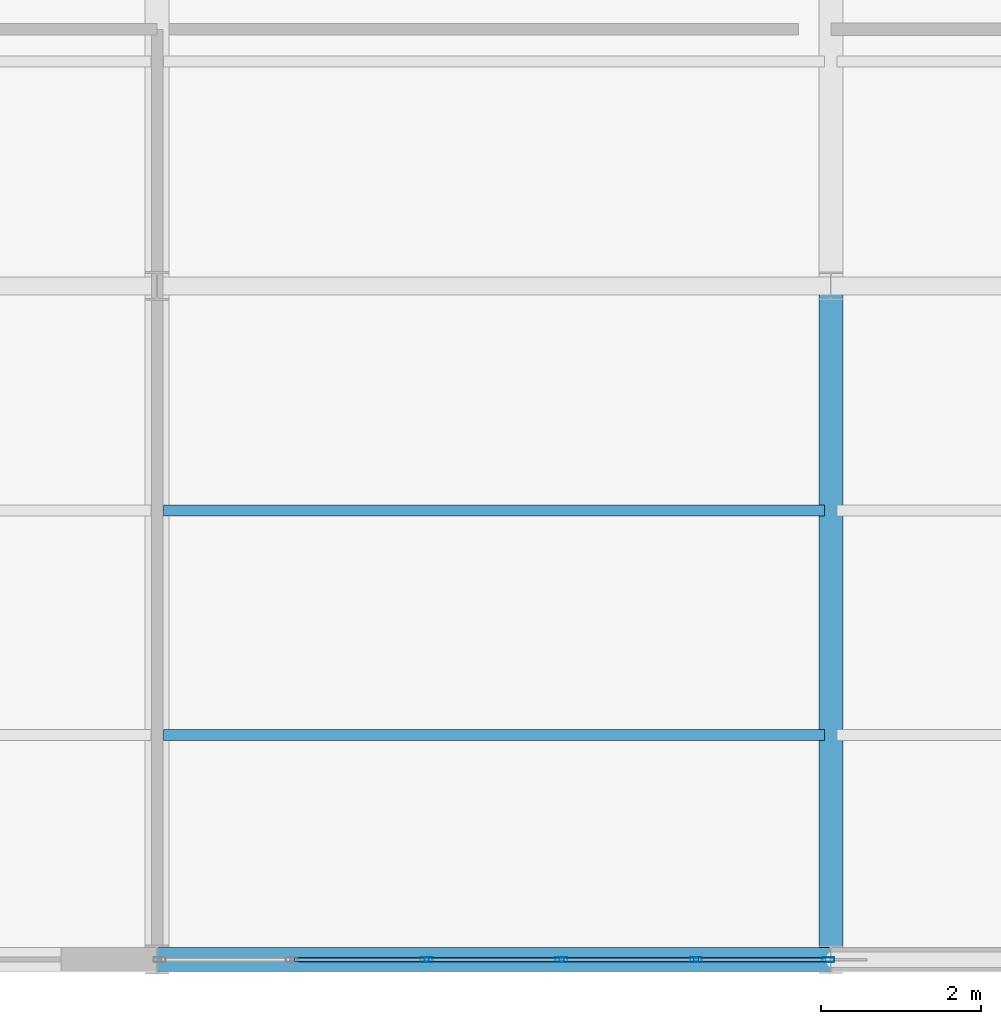
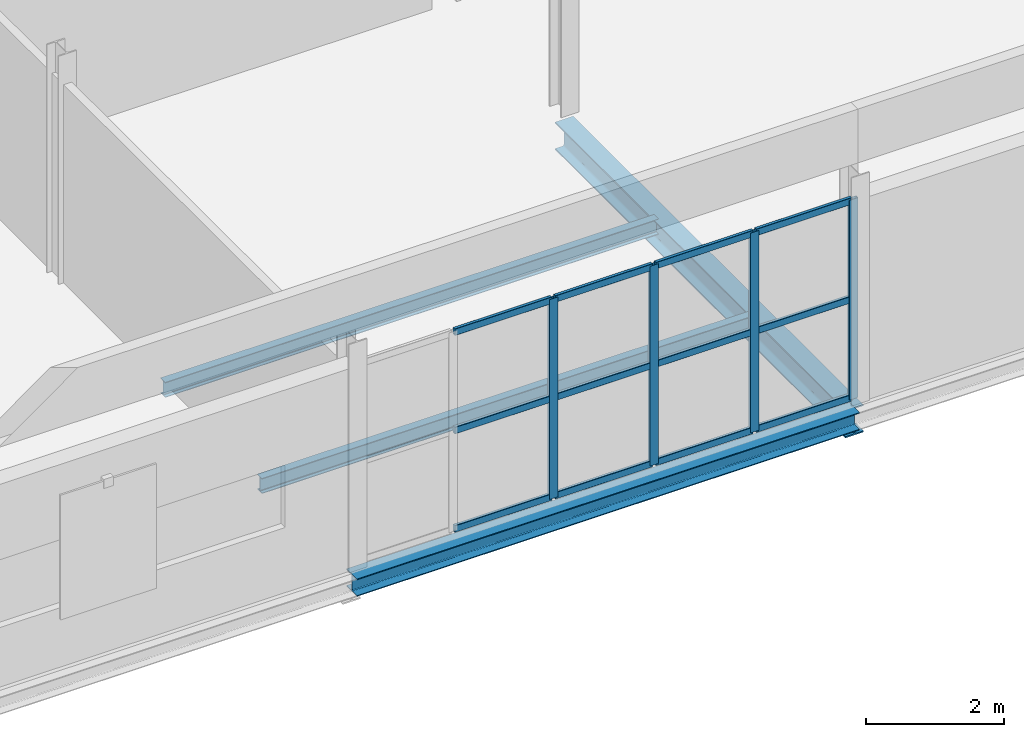
# One storey, part 119 of 184: 16 members, 4 beams, 1 element without a shape of its own.
"""IFC4 building model written with IfcOpenShell, lengths in metres."""

from ifc_helpers import new_model, si_unit, direction, frame, origin, origin_2d, place, context, subcontext, project, spatial, hollow_rectangle, i_section, extrude, material, layer, layer_set, material_profile, profile_set, type_object, element, aggregate, save


model = new_model("IFC4")

# Units and contexts
model_context = context("Model", 3, precision=1e-05, world=origin(), true_north=direction((0.0, 1.0)))
body_context = subcontext(model_context, "Body", "Model", "MODEL_VIEW")
ifc_project = project(units=[si_unit("LENGTHUNIT", "METRE"), si_unit("AREAUNIT", "SQUARE_METRE"), si_unit("VOLUMEUNIT", "CUBIC_METRE"), si_unit("PLANEANGLEUNIT", "RADIAN"), si_unit("MASSUNIT", "GRAM", prefix="KILO")], contexts=[model_context])

# Site, building, storey
site_placement = place(None, origin())
site = spatial("IfcSite", under=ifc_project, at=site_placement, CompositionType="ELEMENT")
building_placement = place(site_placement, origin())
building = spatial("IfcBuilding", under=site, at=building_placement, Name="Qalvenar Corner Mobility Hub", CompositionType="ELEMENT")
storey_placement = place(building_placement, frame((0.0, 0.0, 9.0)))
storey = spatial("IfcBuildingStorey", under=building, at=storey_placement, Name="L02", CompositionType="ELEMENT", Elevation=9.0)

# Beams
ifc_material_1 = material(Name="Steel S355", Category="steel")
ifc_material_profile_1 = material_profile(ifc_material_1, i_section(OverallWidth=0.300048828125, OverallDepth=0.489990234375, WebThickness=0.011962890625, FlangeThickness=0.02294921875, FilletRadius=0.027099609375, at=origin_2d()), Name="HEA500")
ifc_profile_set_1 = profile_set([ifc_material_profile_1], Name="Steel S355")
beam_type_1 = type_object("IfcBeamType", Name="BM-HEA500", PredefinedType="BEAM", material=ifc_profile_set_1)
beam_1_placement = place(storey_placement, frame((142.800048828125, 0.0, -0.425048828125), z_axis=(0.0, 1.0, 0.0), x_axis=(-1.0, 0.0, 0.0)))
element("IfcBeam", 1, at=beam_1_placement, inside=storey, type_object=beam_type_1, Name="Primary Steel Girder GY-1731", PredefinedType="BEAM", context=body_context, shape_type="SweptSolid", body=[
    extrude(i_section(OverallWidth=0.300048828125, OverallDepth=0.489990234375, WebThickness=0.011962890625, FlangeThickness=0.02294921875, FilletRadius=0.027099609375, at=origin_2d()), origin(), (0.0, 0.0, 1.0), 8.39990234375),
])
ifc_material_profile_2 = material_profile(ifc_material_1, i_section(OverallWidth=0.135009765625, OverallDepth=0.27001953125, WebThickness=0.006591796875, FlangeThickness=0.01025390625, FilletRadius=0.014892578125, at=origin_2d()), Name="IPE270")
ifc_profile_set_2 = profile_set([ifc_material_profile_2], Name="Steel S355")
beam_type_2 = type_object("IfcBeamType", Name="BM-JST270", PredefinedType="JOIST", material=ifc_profile_set_2)
for number, where, z_axis, x_axis, name in (
    (2, (134.47802734375, 2.800048828125, -0.31494140625), (1.0, 0.0, 0.0), (0.0, 1.0, 0.0), "Composite Floor Joist J-1779"),
    (3, (134.47802734375, 5.60009765625, -0.31494140625), (1.0, 0.0, 0.0), (0.0, 1.0, 0.0), "Composite Floor Joist J-1780"),
):
    element("IfcBeam", number, at=place(storey_placement, frame(where, z_axis=z_axis, x_axis=x_axis)), inside=storey, type_object=beam_type_2, Name=name, PredefinedType="JOIST", context=body_context, shape_type="SweptSolid", body=[
        extrude(i_section(OverallWidth=0.135009765625, OverallDepth=0.27001953125, WebThickness=0.006591796875, FlangeThickness=0.01025390625, FilletRadius=0.014892578125, at=origin_2d()), origin(), (0.0, 0.0, 1.0), 8.243896484375),
    ])
ifc_material_profile_3 = material_profile(ifc_material_1, i_section(OverallWidth=0.300048828125, OverallDepth=0.31005859375, WebThickness=0.009033203125, FlangeThickness=0.015380859375, FilletRadius=0.027099609375, at=origin_2d()), Name="HEA320")
ifc_profile_set_3 = profile_set([ifc_material_profile_3], Name="Steel S355")
beam_type_3 = type_object("IfcBeamType", Name="BM-SPN320", PredefinedType="SPANDREL", material=ifc_profile_set_3)
beam_2_placement = place(storey_placement, frame((134.39990234375, 0.0, -0.3349609375), z_axis=(1.0, 0.0, 0.0), x_axis=(0.0, 1.0, 0.0)))
element("IfcBeam", 4, at=beam_2_placement, inside=storey, type_object=beam_type_3, Name="Primary Steel Girder GX-1672", PredefinedType="SPANDREL", context=body_context, shape_type="SweptSolid", body=[
    extrude(i_section(OverallWidth=0.300048828125, OverallDepth=0.31005859375, WebThickness=0.009033203125, FlangeThickness=0.015380859375, FilletRadius=0.027099609375, at=origin_2d()), origin(), (0.0, 0.0, 1.0), 8.400146484375),
])

# Curtain wall, members
ifc_material_2 = material(Name="Anodised Aluminium and Low-E Glazing", Category="aluminium")
ifc_layer = layer(ifc_material_2, 0.14990234375)
ifc_layer_set = layer_set([ifc_layer], Name="Anodised Aluminium and Low-E Glazing")
curtain_wall_type = type_object("IfcCurtainWallType", Name="CW-WKS-84X44", PredefinedType="NOTDEFINED", material=ifc_layer_set)
curtain_wall_placement = place(storey_placement, origin())
curtain_wall = element("IfcCurtainWall", 5, at=curtain_wall_placement, inside=storey, type_object=curtain_wall_type, Name="Glazed Curtain Wall CW-V6-L02-S3", PredefinedType="NOTDEFINED")
ifc_material_3 = material(Name="Anodised Aluminium 6063-T6", Category="aluminium")
ifc_material_profile_4 = material_profile(ifc_material_3, hollow_rectangle(XDim=0.06005859375, YDim=0.14990234375, WallThickness=0.00390625, InnerFilletRadius=0.00390625, OuterFilletRadius=0.008056640625, at=origin_2d()), Name="RHS150x60x4")
ifc_profile_set_4 = profile_set([ifc_material_profile_4], Name="Anodised Aluminium 6063-T6")
member_type_1 = type_object("IfcMemberType", Name="CW-MUL150", PredefinedType="MULLION", material=ifc_profile_set_4)
member_1_placement = place(storey_placement, frame((137.760009765625, 0.0, 0.0), z_axis=(0.0, 0.0, 1.0), x_axis=(0.0, 1.0, 0.0)))
member_1 = element("IfcMember", 6, at=member_1_placement, type_object=member_type_1, Name="CW-09 mullion 3", PredefinedType="MULLION", context=body_context, shape_type="SweptSolid", body=[
    extrude(hollow_rectangle(XDim=0.06005859375, YDim=0.14990234375, WallThickness=0.00390625, InnerFilletRadius=0.00390625, OuterFilletRadius=0.008056640625, at=origin_2d()), origin(), (0.0, 0.0, 1.0), 3.530029296875),
])
member_2_placement = place(storey_placement, frame((139.43994140625, 0.0, 0.0), z_axis=(0.0, 0.0, 1.0), x_axis=(0.0, 1.0, 0.0)))
member_2 = element("IfcMember", 7, at=member_2_placement, type_object=member_type_1, Name="CW-09 mullion 4", PredefinedType="MULLION", context=body_context, shape_type="SweptSolid", body=[
    extrude(hollow_rectangle(XDim=0.06005859375, YDim=0.14990234375, WallThickness=0.00390625, InnerFilletRadius=0.00390625, OuterFilletRadius=0.008056640625, at=origin_2d()), origin(), (0.0, 0.0, 1.0), 3.530029296875),
])
member_3_placement = place(storey_placement, frame((141.1201171875, 0.0, 0.0), z_axis=(0.0, 0.0, 1.0), x_axis=(0.0, 1.0, 0.0)))
member_3 = element("IfcMember", 8, at=member_3_placement, type_object=member_type_1, Name="CW-09 mullion 5", PredefinedType="MULLION", context=body_context, shape_type="SweptSolid", body=[
    extrude(hollow_rectangle(XDim=0.06005859375, YDim=0.14990234375, WallThickness=0.00390625, InnerFilletRadius=0.00390625, OuterFilletRadius=0.008056640625, at=origin_2d()), origin(), (0.0, 0.0, 1.0), 3.530029296875),
])
member_4_placement = place(storey_placement, frame((142.77001953125, 0.0, 0.0), z_axis=(0.0, 0.0, 1.0), x_axis=(0.0, 1.0, 0.0)))
member_4 = element("IfcMember", 9, at=member_4_placement, type_object=member_type_1, Name="CW-09 mullion 6", PredefinedType="MULLION", context=body_context, shape_type="SweptSolid", body=[
    extrude(hollow_rectangle(XDim=0.06005859375, YDim=0.14990234375, WallThickness=0.00390625, InnerFilletRadius=0.00390625, OuterFilletRadius=0.008056640625, at=origin_2d()), origin(), (0.0, 0.0, 1.0), 3.530029296875),
])
ifc_material_profile_5 = material_profile(ifc_material_3, hollow_rectangle(XDim=0.054931640625, YDim=0.1201171875, WallThickness=0.00341796875, InnerFilletRadius=0.00341796875, OuterFilletRadius=0.007080078125, at=origin_2d()), Name="RHS120x55x3.5")
ifc_profile_set_5 = profile_set([ifc_material_profile_5], Name="Anodised Aluminium 6063-T6")
member_type_2 = type_object("IfcMemberType", Name="CW-TRN120", PredefinedType="USERDEFINED", material=ifc_profile_set_5)
member_5_placement = place(storey_placement, frame((136.110107421875, 0.0, 0.027587890625), z_axis=(1.0, 0.0, 0.0), x_axis=(0.0, 1.0, 0.0)))
member_5 = element("IfcMember", 10, at=member_5_placement, type_object=member_type_2, Name="CW-09 transom 2.1", ObjectType="TRANSOM", PredefinedType="USERDEFINED", context=body_context, shape_type="SweptSolid", body=[
    extrude(hollow_rectangle(XDim=0.054931640625, YDim=0.1201171875, WallThickness=0.00341796875, InnerFilletRadius=0.00341796875, OuterFilletRadius=0.007080078125, at=origin_2d()), origin(), (0.0, 0.0, 1.0), 1.619873046875),
])
member_6_placement = place(storey_placement, frame((136.110107421875, 0.0, 1.764892578125), z_axis=(1.0, 0.0, 0.0), x_axis=(0.0, 1.0, 0.0)))
member_6 = element("IfcMember", 11, at=member_6_placement, type_object=member_type_2, Name="CW-09 transom 2.2", ObjectType="TRANSOM", PredefinedType="USERDEFINED", context=body_context, shape_type="SweptSolid", body=[
    extrude(hollow_rectangle(XDim=0.054931640625, YDim=0.1201171875, WallThickness=0.00341796875, InnerFilletRadius=0.00341796875, OuterFilletRadius=0.007080078125, at=origin_2d()), origin(), (0.0, 0.0, 1.0), 1.619873046875),
])
member_7_placement = place(storey_placement, frame((136.110107421875, 0.0, 3.50244140625), z_axis=(1.0, 0.0, 0.0), x_axis=(0.0, 1.0, 0.0)))
member_7 = element("IfcMember", 12, at=member_7_placement, type_object=member_type_2, Name="CW-09 transom 2.3", ObjectType="TRANSOM", PredefinedType="USERDEFINED", context=body_context, shape_type="SweptSolid", body=[
    extrude(hollow_rectangle(XDim=0.054931640625, YDim=0.1201171875, WallThickness=0.00341796875, InnerFilletRadius=0.00341796875, OuterFilletRadius=0.007080078125, at=origin_2d()), origin(), (0.0, 0.0, 1.0), 1.619873046875),
])
member_8_placement = place(storey_placement, frame((137.7900390625, 0.0, 0.027587890625), z_axis=(1.0, 0.0, 0.0), x_axis=(0.0, 1.0, 0.0)))
member_8 = element("IfcMember", 13, at=member_8_placement, type_object=member_type_2, Name="CW-09 transom 3.1", ObjectType="TRANSOM", PredefinedType="USERDEFINED", context=body_context, shape_type="SweptSolid", body=[
    extrude(hollow_rectangle(XDim=0.054931640625, YDim=0.1201171875, WallThickness=0.00341796875, InnerFilletRadius=0.00341796875, OuterFilletRadius=0.007080078125, at=origin_2d()), origin(), (0.0, 0.0, 1.0), 1.619873046875),
])
member_9_placement = place(storey_placement, frame((137.7900390625, 0.0, 1.764892578125), z_axis=(1.0, 0.0, 0.0), x_axis=(0.0, 1.0, 0.0)))
member_9 = element("IfcMember", 14, at=member_9_placement, type_object=member_type_2, Name="CW-09 transom 3.2", ObjectType="TRANSOM", PredefinedType="USERDEFINED", context=body_context, shape_type="SweptSolid", body=[
    extrude(hollow_rectangle(XDim=0.054931640625, YDim=0.1201171875, WallThickness=0.00341796875, InnerFilletRadius=0.00341796875, OuterFilletRadius=0.007080078125, at=origin_2d()), origin(), (0.0, 0.0, 1.0), 1.619873046875),
])
member_10_placement = place(storey_placement, frame((137.7900390625, 0.0, 3.50244140625), z_axis=(1.0, 0.0, 0.0), x_axis=(0.0, 1.0, 0.0)))
member_10 = element("IfcMember", 15, at=member_10_placement, type_object=member_type_2, Name="CW-09 transom 3.3", ObjectType="TRANSOM", PredefinedType="USERDEFINED", context=body_context, shape_type="SweptSolid", body=[
    extrude(hollow_rectangle(XDim=0.054931640625, YDim=0.1201171875, WallThickness=0.00341796875, InnerFilletRadius=0.00341796875, OuterFilletRadius=0.007080078125, at=origin_2d()), origin(), (0.0, 0.0, 1.0), 1.619873046875),
])
member_11_placement = place(storey_placement, frame((139.469970703125, 0.0, 0.027587890625), z_axis=(1.0, 0.0, 0.0), x_axis=(0.0, 1.0, 0.0)))
member_11 = element("IfcMember", 16, at=member_11_placement, type_object=member_type_2, Name="CW-09 transom 4.1", ObjectType="TRANSOM", PredefinedType="USERDEFINED", context=body_context, shape_type="SweptSolid", body=[
    extrude(hollow_rectangle(XDim=0.054931640625, YDim=0.1201171875, WallThickness=0.00341796875, InnerFilletRadius=0.00341796875, OuterFilletRadius=0.007080078125, at=origin_2d()), origin(), (0.0, 0.0, 1.0), 1.6201171875),
])
member_12_placement = place(storey_placement, frame((139.469970703125, 0.0, 1.764892578125), z_axis=(1.0, 0.0, 0.0), x_axis=(0.0, 1.0, 0.0)))
member_12 = element("IfcMember", 17, at=member_12_placement, type_object=member_type_2, Name="CW-09 transom 4.2", ObjectType="TRANSOM", PredefinedType="USERDEFINED", context=body_context, shape_type="SweptSolid", body=[
    extrude(hollow_rectangle(XDim=0.054931640625, YDim=0.1201171875, WallThickness=0.00341796875, InnerFilletRadius=0.00341796875, OuterFilletRadius=0.007080078125, at=origin_2d()), origin(), (0.0, 0.0, 1.0), 1.6201171875),
])
member_13_placement = place(storey_placement, frame((139.469970703125, 0.0, 3.50244140625), z_axis=(1.0, 0.0, 0.0), x_axis=(0.0, 1.0, 0.0)))
member_13 = element("IfcMember", 18, at=member_13_placement, type_object=member_type_2, Name="CW-09 transom 4.3", ObjectType="TRANSOM", PredefinedType="USERDEFINED", context=body_context, shape_type="SweptSolid", body=[
    extrude(hollow_rectangle(XDim=0.054931640625, YDim=0.1201171875, WallThickness=0.00341796875, InnerFilletRadius=0.00341796875, OuterFilletRadius=0.007080078125, at=origin_2d()), origin(), (0.0, 0.0, 1.0), 1.6201171875),
])
member_14_placement = place(storey_placement, frame((141.14990234375, 0.0, 0.027587890625), z_axis=(1.0, 0.0, 0.0), x_axis=(0.0, 1.0, 0.0)))
member_14 = element("IfcMember", 19, at=member_14_placement, type_object=member_type_2, Name="CW-09 transom 5.1", ObjectType="TRANSOM", PredefinedType="USERDEFINED", context=body_context, shape_type="SweptSolid", body=[
    extrude(hollow_rectangle(XDim=0.054931640625, YDim=0.1201171875, WallThickness=0.00341796875, InnerFilletRadius=0.00341796875, OuterFilletRadius=0.007080078125, at=origin_2d()), origin(), (0.0, 0.0, 1.0), 1.590087890625),
])
member_15_placement = place(storey_placement, frame((141.14990234375, 0.0, 1.764892578125), z_axis=(1.0, 0.0, 0.0), x_axis=(0.0, 1.0, 0.0)))
member_15 = element("IfcMember", 20, at=member_15_placement, type_object=member_type_2, Name="CW-09 transom 5.2", ObjectType="TRANSOM", PredefinedType="USERDEFINED", context=body_context, shape_type="SweptSolid", body=[
    extrude(hollow_rectangle(XDim=0.054931640625, YDim=0.1201171875, WallThickness=0.00341796875, InnerFilletRadius=0.00341796875, OuterFilletRadius=0.007080078125, at=origin_2d()), origin(), (0.0, 0.0, 1.0), 1.590087890625),
])
member_16_placement = place(storey_placement, frame((141.14990234375, 0.0, 3.50244140625), z_axis=(1.0, 0.0, 0.0), x_axis=(0.0, 1.0, 0.0)))
member_16 = element("IfcMember", 21, at=member_16_placement, type_object=member_type_2, Name="CW-09 transom 5.3", ObjectType="TRANSOM", PredefinedType="USERDEFINED", context=body_context, shape_type="SweptSolid", body=[
    extrude(hollow_rectangle(XDim=0.054931640625, YDim=0.1201171875, WallThickness=0.00341796875, InnerFilletRadius=0.00341796875, OuterFilletRadius=0.007080078125, at=origin_2d()), origin(), (0.0, 0.0, 1.0), 1.590087890625),
])
aggregate(curtain_wall, [member_1, member_2, member_3, member_4, member_5, member_6, member_7, member_8, member_9, member_10, member_11, member_12, member_13, member_14, member_15, member_16])

save(model, "model.ifc")
